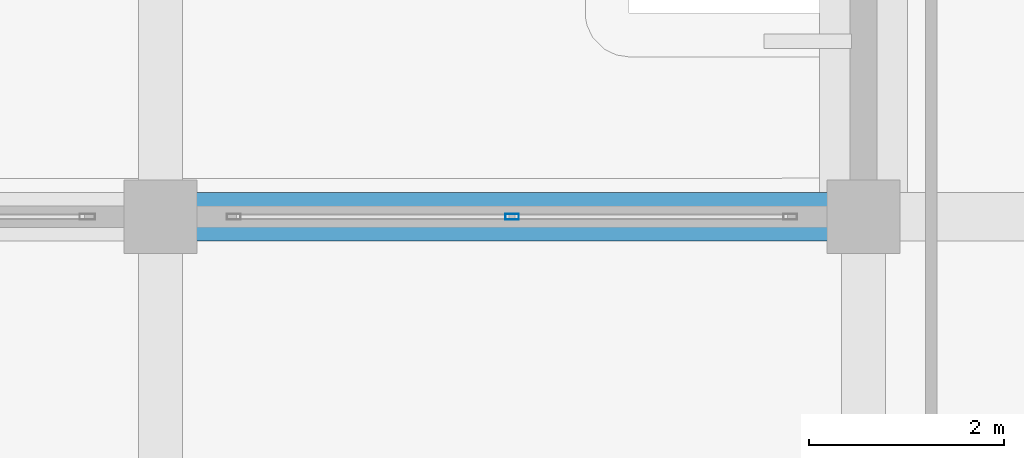
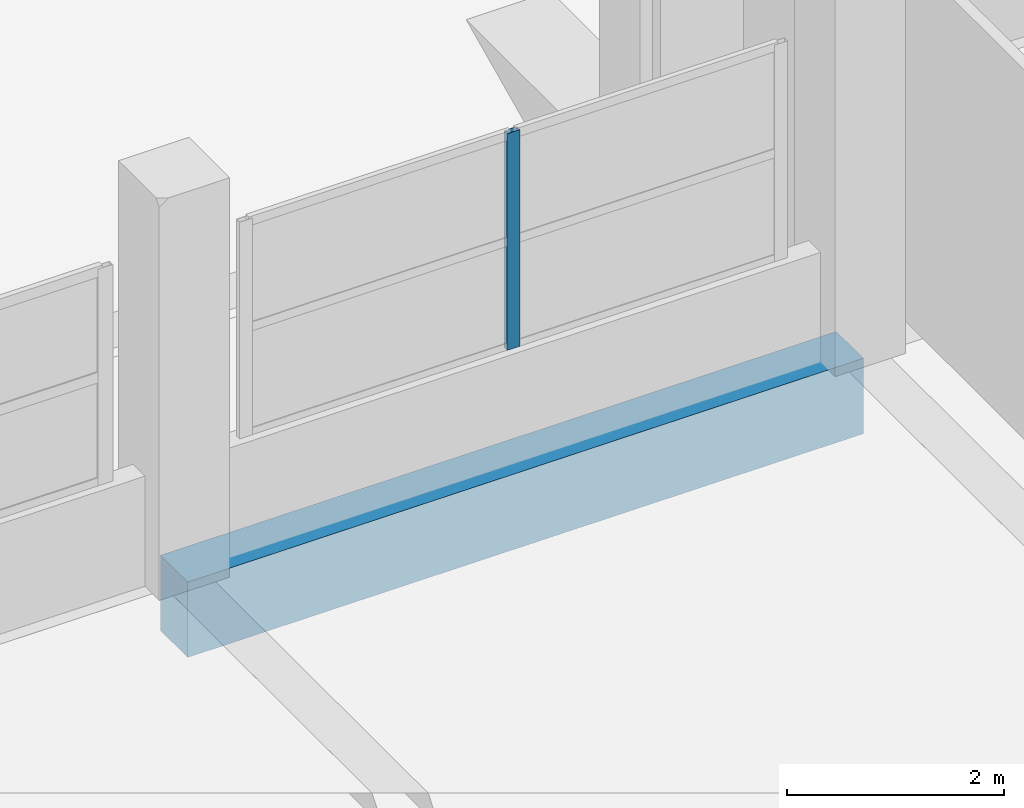
# One storey, part 67 of 141: 1 beam, 1 member, 1 element without a shape of its own.
"""IFC4 building model written with IfcOpenShell, lengths in metres."""

from ifc_helpers import new_model, si_unit, direction, frame, origin, origin_2d, place, context, subcontext, project, spatial, rectangle, hollow_rectangle, extrude, material, layer, layer_set, material_profile, profile_set, type_object, element, aggregate, save


model = new_model("IFC4")

# Units and contexts
model_context = context("Model", 3, precision=1e-05, world=origin(), true_north=direction((0.0, 1.0)))
body_context = subcontext(model_context, "Body", "Model", "MODEL_VIEW")
ifc_project = project(units=[si_unit("LENGTHUNIT", "METRE"), si_unit("AREAUNIT", "SQUARE_METRE"), si_unit("VOLUMEUNIT", "CUBIC_METRE"), si_unit("PLANEANGLEUNIT", "RADIAN"), si_unit("MASSUNIT", "GRAM", prefix="KILO")], contexts=[model_context])

# Site, building, storey
site_placement = place(None, origin())
site = spatial("IfcSite", under=ifc_project, at=site_placement, CompositionType="ELEMENT")
building_placement = place(site_placement, origin())
building = spatial("IfcBuilding", under=site, at=building_placement, Name="Seraya Terrace Polytechnic", CompositionType="ELEMENT")
storey_placement = place(building_placement, frame((0.0, 0.0, 14.39990234375)))
storey = spatial("IfcBuildingStorey", under=building, at=storey_placement, Name="L03", CompositionType="ELEMENT", Elevation=14.39990234375)

# Beam
ifc_material_1 = material(Name="Concrete C40/50", Category="concrete")
ifc_material_profile_1 = material_profile(ifc_material_1, rectangle(XDim=0.5, YDim=0.85009765625, at=origin_2d()), Name="RC 500x850")
ifc_profile_set_1 = profile_set([ifc_material_profile_1], Name="Concrete C40/50")
beam_type = type_object("IfcBeamType", Name="BM-05", PredefinedType="BEAM", material=ifc_profile_set_1)
beam_placement = place(storey_placement, frame((36.0, 72.0, -0.4248046875), z_axis=(1.0, 0.0, 0.0), x_axis=(0.0, 1.0, 0.0)))
element("IfcBeam", 1, at=beam_placement, inside=storey, type_object=beam_type, Name="Beam BM-05 L03 X (36.0..43.2, 72.0)", PredefinedType="BEAM", context=body_context, shape_type="SweptSolid", body=[
    extrude(rectangle(XDim=0.5, YDim=0.85009765625, at=origin_2d()), origin(), (0.0, 0.0, 1.0), 7.199951171875),
])

# Curtain wall, member
ifc_material_2 = material(Name="Anodised aluminium EN AW-6063 T6", Category="aluminium")
ifc_layer = layer(ifc_material_2, 0.179931640625, Name="CW-09")
ifc_layer_set = layer_set([ifc_layer], Name="Anodised aluminium EN AW-6063 T6")
curtain_wall_type = type_object("IfcCurtainWallType", Name="CW-09", PredefinedType="NOTDEFINED", material=ifc_layer_set)
curtain_wall_placement = place(storey_placement, origin())
curtain_wall = element("IfcCurtainWall", 2, at=curtain_wall_placement, inside=storey, type_object=curtain_wall_type, Name="Unitised curtain wall CW-09 (CW-L03-117)", PredefinedType="NOTDEFINED")
ifc_material_profile_2 = material_profile(ifc_material_2, hollow_rectangle(XDim=0.06005859375, YDim=0.139892578125, WallThickness=0.00341796875, at=origin_2d()), Name="RHS 140x60x3.5")
ifc_profile_set_2 = profile_set([ifc_material_profile_2], Name="Anodised aluminium EN AW-6063 T6")
member_type = type_object("IfcMemberType", Name="CWM-03", PredefinedType="MULLION", material=ifc_profile_set_2)
member_placement = place(storey_placement, frame((39.60009765625, 72.0, 1.239990234375), z_axis=(0.0, 0.0, 1.0), x_axis=(0.0, 1.0, 0.0)))
member = element("IfcMember", 3, at=member_placement, type_object=member_type, Name="CW-09 mullion 2", PredefinedType="MULLION", context=body_context, shape_type="SweptSolid", body=[
    extrude(hollow_rectangle(XDim=0.06005859375, YDim=0.139892578125, WallThickness=0.00341796875, at=origin_2d()), origin(), (0.0, 0.0, 1.0), 2.440185546875),
])
aggregate(curtain_wall, [member])

save(model, "model.ifc")
